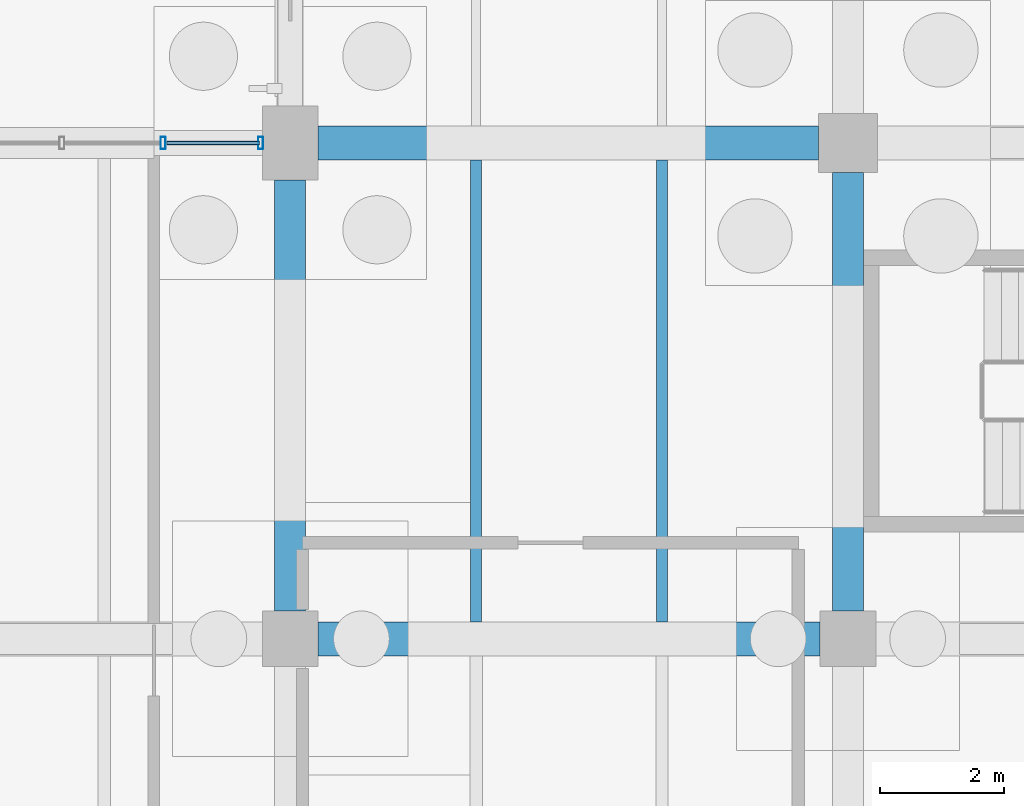
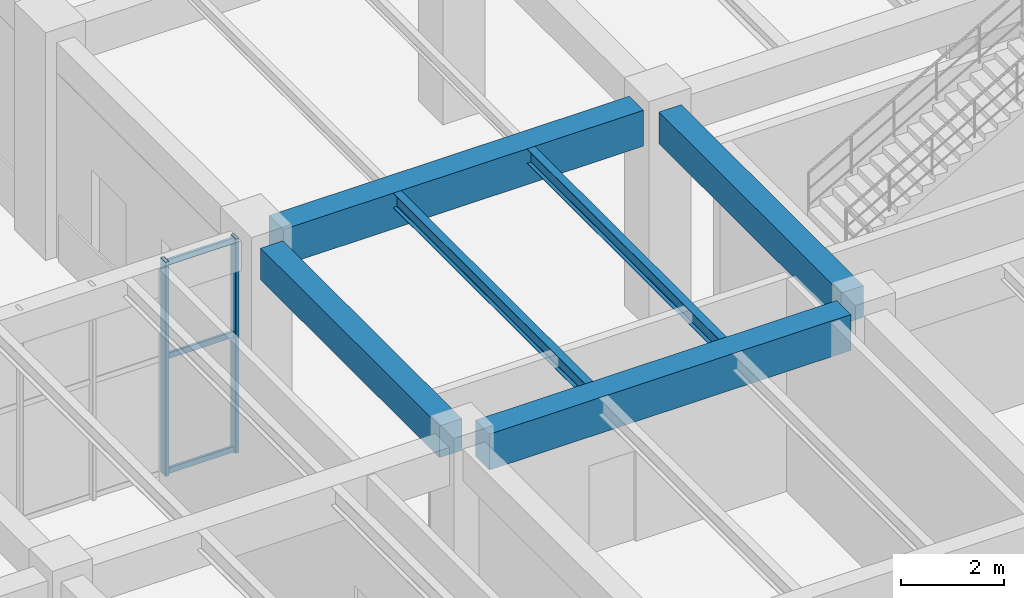
# One storey, part 59 of 121: 6 beams, 5 members, 1 element without a shape of its own.
"""IFC4 building model written with IfcOpenShell, lengths in metres."""

from ifc_helpers import new_model, si_unit, derived_unit, direction, frame, origin, origin_2d, place, context, subcontext, project, spatial, rectangle, hollow_rectangle, i_section, extrude, material, material_profile, profile_set, type_object, element, aggregate, save


model = new_model("IFC4")

# Units and contexts
model_context = context("Model", 3, precision=1e-05, world=origin(), true_north=direction((0.0, 1.0)))
body_context = subcontext(model_context, "Body", "Model", "MODEL_VIEW")
ifc_project = project(units=[si_unit("LENGTHUNIT", "METRE"), si_unit("AREAUNIT", "SQUARE_METRE"), si_unit("VOLUMEUNIT", "CUBIC_METRE"), si_unit("PLANEANGLEUNIT", "RADIAN"), si_unit("MASSUNIT", "GRAM", prefix="KILO"), derived_unit("THERMALTRANSMITTANCEUNIT", [(si_unit("MASSUNIT", "GRAM", prefix="KILO"), 1), (si_unit("TIMEUNIT", "SECOND"), -3), (si_unit("THERMODYNAMICTEMPERATUREUNIT", "KELVIN"), -1)])], contexts=[model_context])

# Site, building, storey
site_placement = place(None, origin())
site = spatial("IfcSite", under=ifc_project, at=site_placement, CompositionType="ELEMENT")
building_placement = place(site_placement, origin())
building = spatial("IfcBuilding", under=site, at=building_placement, Name="Zhenchuan Archway Interchange", CompositionType="ELEMENT")
storey_placement = place(building_placement, origin())
storey = spatial("IfcBuildingStorey", under=building, at=storey_placement, Name="L00", CompositionType="ELEMENT", Elevation=0.0)

# Beams
ifc_material_1 = material(Name="Concrete C40", Category="concrete")
ifc_material_profile_1 = material_profile(ifc_material_1, rectangle(XDim=0.5, YDim=0.75, at=origin_2d()), Name="RC 500x750")
ifc_profile_set_1 = profile_set([ifc_material_profile_1], Name="Concrete C40")
beam_type_1 = type_object("IfcBeamType", Name="BM_RC_500x750", PredefinedType="BEAM", material=ifc_profile_set_1)
beam_1_placement = place(storey_placement, frame((144.0, 16.449951171875, 4.705078125), z_axis=(0.0, 1.0, 0.0), x_axis=(-1.0, 0.0, 0.0)))
element("IfcBeam", 1, at=beam_1_placement, inside=storey, type_object=beam_type_1, Name="Beam 17:C-D (L00)", PredefinedType="BEAM", context=body_context, shape_type="SweptSolid", body=[
    extrude(rectangle(XDim=0.5, YDim=0.75, at=origin_2d()), origin(), (0.0, 0.0, 1.0), 6.949951171875),
])
beam_2_placement = place(storey_placement, frame((153.0, 16.449951171875, 4.705078125), z_axis=(0.0, 1.0, 0.0), x_axis=(-1.0, 0.0, 0.0)))
element("IfcBeam", 2, at=beam_2_placement, inside=storey, type_object=beam_type_1, Name="Beam 18:C-D (L00)", PredefinedType="BEAM", context=body_context, shape_type="SweptSolid", body=[
    extrude(rectangle(XDim=0.5, YDim=0.75, at=origin_2d()), origin(), (0.0, 0.0, 1.0), 7.074951171875),
])
ifc_material_profile_2 = material_profile(ifc_material_1, rectangle(XDim=0.550048828125, YDim=0.85009765625, at=origin_2d()), Name="RC 550x850")
ifc_profile_set_2 = profile_set([ifc_material_profile_2], Name="Concrete C40")
beam_type_2 = type_object("IfcBeamType", Name="BM_RC_550x850", PredefinedType="BEAM", material=ifc_profile_set_2)
beam_3_placement = place(storey_placement, frame((144.449951171875, 16.0, 4.655029296875), z_axis=(1.0, 0.0, 0.0), x_axis=(0.0, 1.0, 0.0)))
element("IfcBeam", 3, at=beam_3_placement, inside=storey, type_object=beam_type_2, Name="Beam C:17-18 (L00)", PredefinedType="BEAM", context=body_context, shape_type="SweptSolid", body=[
    extrude(rectangle(XDim=0.550048828125, YDim=0.85009765625, at=origin_2d()), origin(), (0.0, 0.0, 1.0), 8.10009765625),
])
beam_4_placement = place(storey_placement, frame((144.449951171875, 24.0, 4.655029296875), z_axis=(1.0, 0.0, 0.0), x_axis=(0.0, 1.0, 0.0)))
element("IfcBeam", 4, at=beam_4_placement, inside=storey, type_object=beam_type_2, Name="Beam D:17-18 (L00)", PredefinedType="BEAM", context=body_context, shape_type="SweptSolid", body=[
    extrude(rectangle(XDim=0.550048828125, YDim=0.85009765625, at=origin_2d()), origin(), (0.0, 0.0, 1.0), 8.074951171875),
])

# Curtain wall, members
ifc_material_2 = material(Name="Anodised Aluminium", Category="aluminium")
curtain_wall_type = type_object("IfcCurtainWallType", Name="CW_UNIT_1", PredefinedType="NOTDEFINED", material=ifc_material_2)
curtain_wall_placement = place(storey_placement, origin())
curtain_wall = element("IfcCurtainWall", 5, at=curtain_wall_placement, inside=storey, type_object=curtain_wall_type, Name="Unitised curtain wall CW:L00:020", PredefinedType="NOTDEFINED")
ifc_material_profile_3 = material_profile(ifc_material_2, hollow_rectangle(XDim=0.080078125, YDim=0.199951171875, WallThickness=0.00439453125, InnerFilletRadius=0.00439453125, OuterFilletRadius=0.009033203125, at=origin_2d()), Name="ALU 200x80x4.5")
ifc_profile_set_3 = profile_set([ifc_material_profile_3], Name="Anodised Aluminium")
member_type_1 = type_object("IfcMemberType", Name="CW_MUL_200", PredefinedType="MULLION", material=ifc_profile_set_3)
member_1_placement = place(storey_placement, frame((141.94921875, 24.0, 0.0), z_axis=(0.0, 0.0, 1.0), x_axis=(1.0, 0.0, 0.0)))
member_1 = element("IfcMember", 6, at=member_1_placement, type_object=member_type_1, Name="CW:L00:020 mullion 4", PredefinedType="MULLION", context=body_context, shape_type="SweptSolid", body=[
    extrude(hollow_rectangle(XDim=0.080078125, YDim=0.199951171875, WallThickness=0.00439453125, InnerFilletRadius=0.00439453125, OuterFilletRadius=0.009033203125, at=origin_2d()), origin(), (0.0, 0.0, 1.0), 5.080078125),
])
member_2_placement = place(storey_placement, frame((143.52197265625, 24.0, 0.0), z_axis=(0.0, 0.0, 1.0), x_axis=(1.0, 0.0, 0.0)))
member_2 = element("IfcMember", 7, at=member_2_placement, type_object=member_type_1, Name="CW:L00:020 mullion 5", PredefinedType="MULLION", context=body_context, shape_type="SweptSolid", body=[
    extrude(hollow_rectangle(XDim=0.080078125, YDim=0.199951171875, WallThickness=0.00439453125, InnerFilletRadius=0.00439453125, OuterFilletRadius=0.009033203125, at=origin_2d()), origin(), (0.0, 0.0, 1.0), 5.080078125),
])
ifc_material_profile_4 = material_profile(ifc_material_2, hollow_rectangle(XDim=0.06005859375, YDim=0.139892578125, WallThickness=0.00341796875, InnerFilletRadius=0.00341796875, OuterFilletRadius=0.007080078125, at=origin_2d()), Name="ALU 140x60x3.5")
ifc_profile_set_4 = profile_set([ifc_material_profile_4], Name="Anodised Aluminium")
member_type_2 = type_object("IfcMemberType", Name="CW_TRN_140", PredefinedType="USERDEFINED", material=ifc_profile_set_4)
member_3_placement = place(storey_placement, frame((142.00927734375, 24.0, 0.06005859375), z_axis=(1.0, 0.0, 0.0), x_axis=(0.0, 1.0, 0.0)))
member_3 = element("IfcMember", 8, at=member_3_placement, type_object=member_type_2, Name="CW:L00:020 transom 4-1", ObjectType="TRANSOM", PredefinedType="USERDEFINED", context=body_context, shape_type="SweptSolid", body=[
    extrude(hollow_rectangle(XDim=0.06005859375, YDim=0.139892578125, WallThickness=0.00341796875, InnerFilletRadius=0.00341796875, OuterFilletRadius=0.007080078125, at=origin_2d()), origin(), (0.0, 0.0, 1.0), 1.49267578125),
])
member_4_placement = place(storey_placement, frame((142.00927734375, 24.0, 2.782958984375), z_axis=(1.0, 0.0, 0.0), x_axis=(0.0, 1.0, 0.0)))
member_4 = element("IfcMember", 9, at=member_4_placement, type_object=member_type_2, Name="CW:L00:020 transom 4-2", ObjectType="TRANSOM", PredefinedType="USERDEFINED", context=body_context, shape_type="SweptSolid", body=[
    extrude(hollow_rectangle(XDim=0.06005859375, YDim=0.139892578125, WallThickness=0.00341796875, InnerFilletRadius=0.00341796875, OuterFilletRadius=0.007080078125, at=origin_2d()), origin(), (0.0, 0.0, 1.0), 1.49267578125),
])
member_5_placement = place(storey_placement, frame((142.00927734375, 24.0, 5.0), z_axis=(1.0, 0.0, 0.0), x_axis=(0.0, 1.0, 0.0)))
member_5 = element("IfcMember", 10, at=member_5_placement, type_object=member_type_2, Name="CW:L00:020 transom 4-3", ObjectType="TRANSOM", PredefinedType="USERDEFINED", context=body_context, shape_type="SweptSolid", body=[
    extrude(hollow_rectangle(XDim=0.06005859375, YDim=0.139892578125, WallThickness=0.00341796875, InnerFilletRadius=0.00341796875, OuterFilletRadius=0.007080078125, at=origin_2d()), origin(), (0.0, 0.0, 1.0), 1.49267578125),
])
aggregate(curtain_wall, [member_1, member_2, member_3, member_4, member_5])

# Beams
ifc_material_3 = material(Name="Steel Q355", Category="steel")
ifc_material_profile_5 = material_profile(ifc_material_3, i_section(OverallWidth=0.175048828125, OverallDepth=0.35009765625, WebThickness=0.007080078125, FlangeThickness=0.010986328125, FilletRadius=0.013916015625, at=origin_2d()), Name="HN 350x175")
ifc_profile_set_5 = profile_set([ifc_material_profile_5], Name="Steel Q355")
beam_type_3 = type_object("IfcBeamType", Name="JST_STL_HN350", PredefinedType="JOIST", material=ifc_profile_set_5)
for number, where, z_axis, x_axis, name in (
    (11, (147.0, 16.27490234375, 4.905029296875), (0.0, 1.0, 0.0), (-1.0, 0.0, 0.0), "Secondary joist 17-18/C-D #1 (L00)"),
    (12, (150.0, 16.27490234375, 4.905029296875), (0.0, 1.0, 0.0), (-1.0, 0.0, 0.0), "Secondary joist 17-18/C-D #2 (L00)"),
):
    element("IfcBeam", number, at=place(storey_placement, frame(where, z_axis=z_axis, x_axis=x_axis)), inside=storey, type_object=beam_type_3, Name=name, PredefinedType="JOIST", context=body_context, shape_type="SweptSolid", body=[
        extrude(i_section(OverallWidth=0.175048828125, OverallDepth=0.35009765625, WebThickness=0.007080078125, FlangeThickness=0.010986328125, FilletRadius=0.013916015625, at=origin_2d()), origin(), (0.0, 0.0, 1.0), 7.4501953125),
    ])

save(model, "model.ifc")
